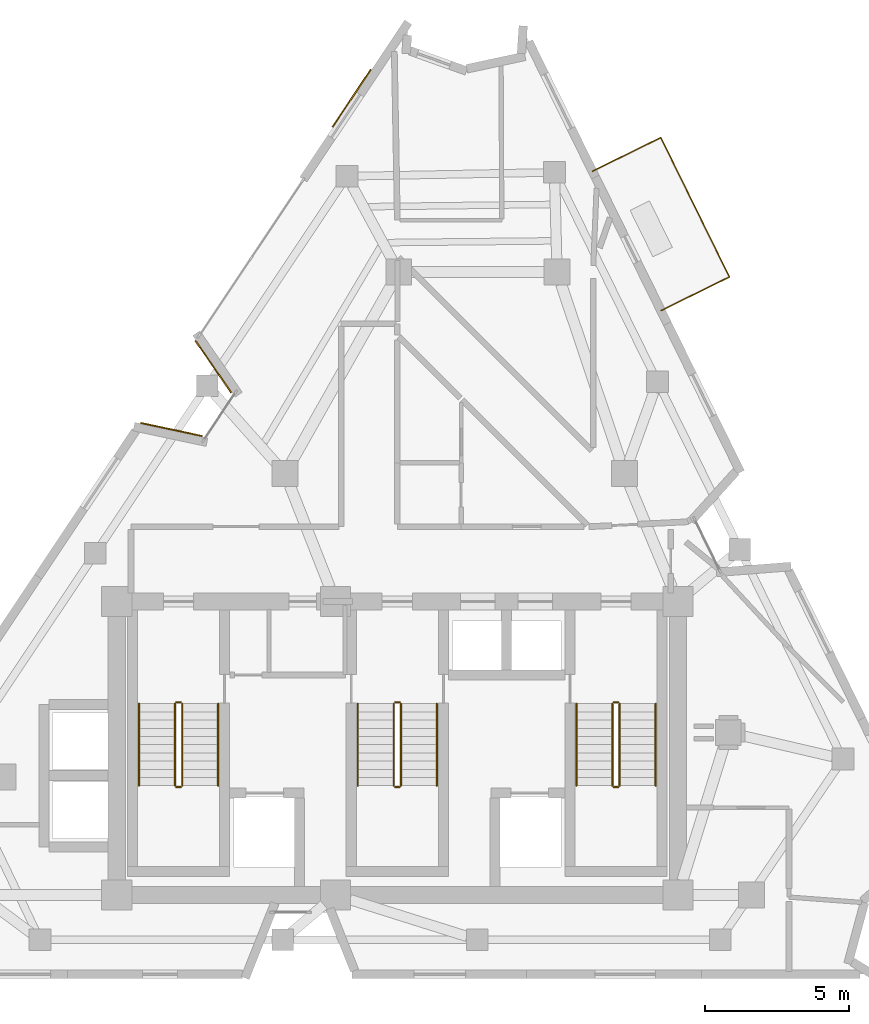
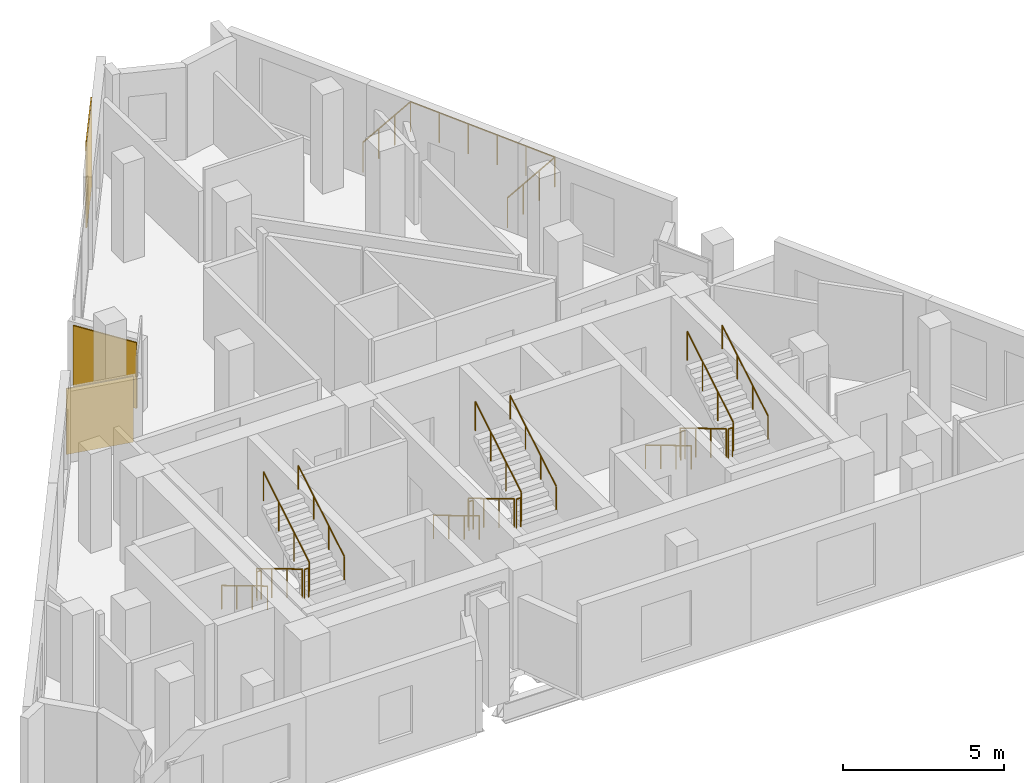
# One storey, part 8 of 8: 19 railings, 3 coverings.
"""IFC4 building model written with IfcOpenShell, lengths in metres."""

from ifc_helpers import new_model, si_unit, direction, frame, origin, origin_2d, place, context, subcontext, project, spatial, rectangle, circle, extrude, material, layer, layer_set, type_object, element, save


model = new_model("IFC4")

# Units and contexts
model_context = context("Model", 3, precision=1e-05, world=origin(), true_north=direction((0.0, 1.0)))
body_context = subcontext(model_context, "Body", "Model", "MODEL_VIEW")
ifc_project = project(units=[si_unit("LENGTHUNIT", "METRE"), si_unit("AREAUNIT", "SQUARE_METRE"), si_unit("VOLUMEUNIT", "CUBIC_METRE"), si_unit("PLANEANGLEUNIT", "RADIAN"), si_unit("MASSUNIT", "GRAM", prefix="KILO")], contexts=[model_context])

# Site, building, storey
site_placement = place(None, origin())
site = spatial("IfcSite", under=ifc_project, at=site_placement, CompositionType="ELEMENT")
building_placement = place(site_placement, origin())
building = spatial("IfcBuilding", under=site, at=building_placement, Name="Almagre Mirador Tower", CompositionType="ELEMENT")
storey_placement = place(building_placement, frame((0.0, 0.0, 274.5)))
storey = spatial("IfcBuildingStorey", under=building, at=storey_placement, Name="L71", CompositionType="ELEMENT", Elevation=274.5)

# Coverings
ifc_material_1 = material(Name="Almagre terracotta architectural cladding", Category="masonry")
ifc_layer = layer(ifc_material_1, 0.044921875)
ifc_layer_set = layer_set([ifc_layer], Name="Almagre terracotta architectural cladding")
covering_type = type_object("IfcCoveringType", Name="COV-CLAD-ALMAGRE", PredefinedType="CLADDING", material=ifc_layer_set)
for number, where, z_axis, x_axis, name in (
    (1, (29.451416015625, 20.726806640625, 0.099853515625), (0.0, 0.0, 1.0), (0.978053152694, -0.208355538697, 0.0), "L71 almagre terracotta pier cladding"),
    (2, (30.908447265625, 22.90966796875, 0.099853515625), (0.0, 0.0, 1.0), (-0.567513271194, 0.823364249296, 0.0), "L71 almagre terracotta pier cladding"),
):
    element("IfcCovering", number, at=place(storey_placement, frame(where, z_axis=z_axis, x_axis=x_axis)), inside=storey, type_object=covering_type, Name=name, PredefinedType="CLADDING", context=body_context, shape_type="SweptSolid", body=[
        extrude(rectangle(XDim=2.194091796875, YDim=0.044921875, at=origin_2d()), origin(), (0.0, 0.0, 1.0), 2.49609375),
    ])
covering_placement = place(storey_placement, frame((35.71435546875, 32.240478515625, 0.10009765625), z_axis=(0.0, 0.0, 1.0), x_axis=(0.555207383086, 0.83171194639, 0.0)))
element("IfcCovering", 3, at=covering_placement, inside=storey, type_object=covering_type, Name="L71 almagre terracotta pier cladding", PredefinedType="CLADDING", context=body_context, shape_type="SweptSolid", body=[
    extrude(rectangle(XDim=2.39990234375, YDim=0.044921875, at=origin_2d()), origin(), (0.0, 0.0, 1.0), 3.300048828125),
])

# Railings
ifc_material_2 = material(Name="Black anodized aluminium", Category="aluminium")
railing_type_1 = type_object("IfcRailingType", Name="RLG-BAL-1150", PredefinedType="BALUSTRADE", material=ifc_material_2)
railing_1_placement = place(storey_placement, frame((46.4609375, 24.85693359375, 0.0)))
element("IfcRailing", 4, at=railing_1_placement, inside=storey, type_object=railing_type_1, Name="L71 east balcony balustrade 1", PredefinedType="BALUSTRADE", context=body_context, shape_type="SweptSolid", body=[
    extrude(circle(Radius=0.02392578125, at=origin_2d()), frame((0.0, 0.0, 1.1259765625), z_axis=(0.897264435075, 0.441493526056, 0.0), x_axis=(-0.441493526056, 0.897264435075, 0.0)), (0.0, 0.0, 1.0), 2.650390625),
    extrude(circle(Radius=0.02392578125, at=origin_2d()), frame((2.378173828125, 1.170166015625, 1.1259765625), z_axis=(-0.441216382281, 0.897400748833, 0.0), x_axis=(-0.897400748833, -0.441216382281, 0.0)), (0.0, 0.0, 1.0), 5.39892578125),
    extrude(circle(Radius=0.02392578125, at=origin_2d()), frame((-0.00390625, 6.01513671875, 1.1259765625), z_axis=(-0.897392430481, -0.441233300778, 0.0), x_axis=(0.441233300778, -0.897392430481, 0.0)), (0.0, 0.0, 1.0), 2.64990234375),
    extrude(circle(Radius=0.02099609375, at=origin_2d()), origin(), (0.0, 0.0, 1.0), 1.101806640625),
    extrude(circle(Radius=0.02099609375, at=origin_2d()), frame((0.792724609375, 0.39013671875, 0.0)), (0.0, 0.0, 1.0), 1.101806640625),
    extrude(circle(Radius=0.02099609375, at=origin_2d()), frame((1.58544921875, 0.780029296875, 0.0)), (0.0, 0.0, 1.0), 1.101806640625),
    extrude(circle(Radius=0.02099609375, at=origin_2d()), frame((2.378173828125, 1.170166015625, 0.0)), (0.0, 0.0, 1.0), 1.101806640625),
    extrude(circle(Radius=0.02099609375, at=origin_2d()), frame((1.90185546875, 2.13916015625, 0.0)), (0.0, 0.0, 1.0), 1.101806640625),
    extrude(circle(Radius=0.02099609375, at=origin_2d()), frame((1.42529296875, 3.108154296875, 0.0)), (0.0, 0.0, 1.0), 1.101806640625),
    extrude(circle(Radius=0.02099609375, at=origin_2d()), frame((0.948974609375, 4.0771484375, 0.0)), (0.0, 0.0, 1.0), 1.101806640625),
    extrude(circle(Radius=0.02099609375, at=origin_2d()), frame((0.472412109375, 5.046142578125, 0.0)), (0.0, 0.0, 1.0), 1.101806640625),
    extrude(circle(Radius=0.02099609375, at=origin_2d()), frame((-0.00390625, 6.01513671875, 0.0)), (0.0, 0.0, 1.0), 1.101806640625),
    extrude(circle(Radius=0.02099609375, at=origin_2d()), frame((-0.796630859375, 5.62548828125, 0.0)), (0.0, 0.0, 1.0), 1.101806640625),
    extrude(circle(Radius=0.02099609375, at=origin_2d()), frame((-1.589111328125, 5.235595703125, 0.0)), (0.0, 0.0, 1.0), 1.101806640625),
    extrude(circle(Radius=0.02099609375, at=origin_2d()), frame((-2.3818359375, 4.845947265625, 0.0)), (0.0, 0.0, 1.0), 1.101806640625),
])
ifc_material_3 = material(Name="Painted galvanized steel", Category="steel")
railing_type_2 = type_object("IfcRailingType", Name="RLG-GRD-1100", PredefinedType="GUARDRAIL", material=ifc_material_3)
railing_2_placement = place(storey_placement, frame((29.574951171875, 11.199951171875, 0.17041015625)))
element("IfcRailing", 5, at=railing_2_placement, inside=storey, type_object=railing_type_2, Name="L71 ST-1 stair guard 1", PredefinedType="GUARDRAIL", context=body_context, shape_type="SweptSolid", body=[
    extrude(circle(Radius=0.02392578125, at=origin_2d()), frame((0.0, 0.0, 1.09619140625), z_axis=(0.0, -0.858199205511, 0.513316786848), x_axis=(1.0, 0.0, 0.0)), (0.0, 0.0, 1.0), 3.32080078125),
    extrude(circle(Radius=0.02099609375, at=origin_2d()), origin(), (0.0, 0.0, 1.0), 1.072021484375),
    extrude(circle(Radius=0.02099609375, at=origin_2d()), frame((0.0, -0.949951171875, 0.568115234375)), (0.0, 0.0, 1.0), 1.072021484375),
    extrude(circle(Radius=0.02099609375, at=origin_2d()), frame((0.0, -1.89990234375, 1.136474609375)), (0.0, 0.0, 1.0), 1.072021484375),
    extrude(circle(Radius=0.02099609375, at=origin_2d()), frame((0.0, -2.849853515625, 1.70458984375)), (0.0, 0.0, 1.0), 1.072021484375),
])
railing_3_placement = place(storey_placement, frame((29.625, 8.300048828125, 1.875)))
element("IfcRailing", 6, at=railing_3_placement, inside=storey, type_object=railing_type_2, Name="L71 ST-1 stair guard 2", PredefinedType="GUARDRAIL", context=body_context, shape_type="SweptSolid", body=[
    extrude(circle(Radius=0.02392578125, at=origin_2d()), frame((0.0, 0.0, 1.09619140625), z_axis=(1.0, 0.0, 0.0), x_axis=(0.0, 1.0, 0.0)), (0.0, 0.0, 1.0), 0.14990234375),
    extrude(circle(Radius=0.02099609375, at=origin_2d()), origin(), (0.0, 0.0, 1.0), 1.072021484375),
    extrude(circle(Radius=0.02099609375, at=origin_2d()), frame((0.14990234375, 0.0, 0.0)), (0.0, 0.0, 1.0), 1.072021484375),
])
railing_4_placement = place(storey_placement, frame((29.824951171875, 8.35009765625, 2.04541015625)))
element("IfcRailing", 7, at=railing_4_placement, inside=storey, type_object=railing_type_2, Name="L71 ST-1 stair guard 3", PredefinedType="GUARDRAIL", context=body_context, shape_type="SweptSolid", body=[
    extrude(circle(Radius=0.02392578125, at=origin_2d()), frame((0.0, 0.0, 1.09619140625), z_axis=(0.0, 0.858199205511, 0.513316786848), x_axis=(-1.0, 0.0, 0.0)), (0.0, 0.0, 1.0), 3.32080078125),
    extrude(circle(Radius=0.02099609375, at=origin_2d()), origin(), (0.0, 0.0, 1.0), 1.072021484375),
    extrude(circle(Radius=0.02099609375, at=origin_2d()), frame((0.0, 0.949951171875, 0.568115234375)), (0.0, 0.0, 1.0), 1.072021484375),
    extrude(circle(Radius=0.02099609375, at=origin_2d()), frame((0.0, 1.89990234375, 1.136474609375)), (0.0, 0.0, 1.0), 1.072021484375),
    extrude(circle(Radius=0.02099609375, at=origin_2d()), frame((0.0, 2.849853515625, 1.70458984375)), (0.0, 0.0, 1.0), 1.072021484375),
])
railing_5_placement = place(storey_placement, frame((29.625, 11.25, 0.0)))
element("IfcRailing", 8, at=railing_5_placement, inside=storey, type_object=railing_type_2, Name="L71 ST-1 stair guard 4", PredefinedType="GUARDRAIL", context=body_context, shape_type="SweptSolid", body=[
    extrude(circle(Radius=0.02392578125, at=origin_2d()), frame((0.0, 0.0, 1.09619140625), z_axis=(1.0, 0.0, 0.0), x_axis=(0.0, 1.0, 0.0)), (0.0, 0.0, 1.0), 0.14990234375),
    extrude(circle(Radius=0.02099609375, at=origin_2d()), origin(), (0.0, 0.0, 1.0), 1.072021484375),
    extrude(circle(Radius=0.02099609375, at=origin_2d()), frame((0.14990234375, 0.0, 0.0)), (0.0, 0.0, 1.0), 1.072021484375),
])
railing_6_placement = place(storey_placement, frame((37.175048828125, 11.199951171875, 0.17041015625)))
element("IfcRailing", 9, at=railing_6_placement, inside=storey, type_object=railing_type_2, Name="L71 ST-2 stair guard 1", PredefinedType="GUARDRAIL", context=body_context, shape_type="SweptSolid", body=[
    extrude(circle(Radius=0.02392578125, at=origin_2d()), frame((0.0, 0.0, 1.09619140625), z_axis=(0.0, -0.858199205511, 0.513316786848), x_axis=(1.0, 0.0, 0.0)), (0.0, 0.0, 1.0), 3.32080078125),
    extrude(circle(Radius=0.02099609375, at=origin_2d()), origin(), (0.0, 0.0, 1.0), 1.072021484375),
    extrude(circle(Radius=0.02099609375, at=origin_2d()), frame((0.0, -0.949951171875, 0.568115234375)), (0.0, 0.0, 1.0), 1.072021484375),
    extrude(circle(Radius=0.02099609375, at=origin_2d()), frame((0.0, -1.89990234375, 1.136474609375)), (0.0, 0.0, 1.0), 1.072021484375),
    extrude(circle(Radius=0.02099609375, at=origin_2d()), frame((0.0, -2.849853515625, 1.70458984375)), (0.0, 0.0, 1.0), 1.072021484375),
])
railing_7_placement = place(storey_placement, frame((37.22509765625, 8.300048828125, 1.875)))
element("IfcRailing", 10, at=railing_7_placement, inside=storey, type_object=railing_type_2, Name="L71 ST-2 stair guard 2", PredefinedType="GUARDRAIL", context=body_context, shape_type="SweptSolid", body=[
    extrude(circle(Radius=0.02392578125, at=origin_2d()), frame((0.0, 0.0, 1.09619140625), z_axis=(1.0, 0.0, 0.0), x_axis=(0.0, 1.0, 0.0)), (0.0, 0.0, 1.0), 0.14990234375),
    extrude(circle(Radius=0.02099609375, at=origin_2d()), origin(), (0.0, 0.0, 1.0), 1.072021484375),
    extrude(circle(Radius=0.02099609375, at=origin_2d()), frame((0.14990234375, 0.0, 0.0)), (0.0, 0.0, 1.0), 1.072021484375),
])
railing_8_placement = place(storey_placement, frame((37.425048828125, 8.35009765625, 2.04541015625)))
element("IfcRailing", 11, at=railing_8_placement, inside=storey, type_object=railing_type_2, Name="L71 ST-2 stair guard 3", PredefinedType="GUARDRAIL", context=body_context, shape_type="SweptSolid", body=[
    extrude(circle(Radius=0.02392578125, at=origin_2d()), frame((0.0, 0.0, 1.09619140625), z_axis=(0.0, 0.858199205511, 0.513316786848), x_axis=(-1.0, 0.0, 0.0)), (0.0, 0.0, 1.0), 3.32080078125),
    extrude(circle(Radius=0.02099609375, at=origin_2d()), origin(), (0.0, 0.0, 1.0), 1.072021484375),
    extrude(circle(Radius=0.02099609375, at=origin_2d()), frame((0.0, 0.949951171875, 0.568115234375)), (0.0, 0.0, 1.0), 1.072021484375),
    extrude(circle(Radius=0.02099609375, at=origin_2d()), frame((0.0, 1.89990234375, 1.136474609375)), (0.0, 0.0, 1.0), 1.072021484375),
    extrude(circle(Radius=0.02099609375, at=origin_2d()), frame((0.0, 2.849853515625, 1.70458984375)), (0.0, 0.0, 1.0), 1.072021484375),
])
railing_9_placement = place(storey_placement, frame((37.22509765625, 11.25, 0.0)))
element("IfcRailing", 12, at=railing_9_placement, inside=storey, type_object=railing_type_2, Name="L71 ST-2 stair guard 4", PredefinedType="GUARDRAIL", context=body_context, shape_type="SweptSolid", body=[
    extrude(circle(Radius=0.02392578125, at=origin_2d()), frame((0.0, 0.0, 1.09619140625), z_axis=(1.0, 0.0, 0.0), x_axis=(0.0, 1.0, 0.0)), (0.0, 0.0, 1.0), 0.14990234375),
    extrude(circle(Radius=0.02099609375, at=origin_2d()), origin(), (0.0, 0.0, 1.0), 1.072021484375),
    extrude(circle(Radius=0.02099609375, at=origin_2d()), frame((0.14990234375, 0.0, 0.0)), (0.0, 0.0, 1.0), 1.072021484375),
])
railing_10_placement = place(storey_placement, frame((44.77490234375, 11.199951171875, 0.17041015625)))
element("IfcRailing", 13, at=railing_10_placement, inside=storey, type_object=railing_type_2, Name="L71 ST-3 stair guard 1", PredefinedType="GUARDRAIL", context=body_context, shape_type="SweptSolid", body=[
    extrude(circle(Radius=0.02392578125, at=origin_2d()), frame((0.0, 0.0, 1.09619140625), z_axis=(0.0, -0.858199205511, 0.513316786848), x_axis=(1.0, 0.0, 0.0)), (0.0, 0.0, 1.0), 3.32080078125),
    extrude(circle(Radius=0.02099609375, at=origin_2d()), origin(), (0.0, 0.0, 1.0), 1.072021484375),
    extrude(circle(Radius=0.02099609375, at=origin_2d()), frame((0.0, -0.949951171875, 0.568115234375)), (0.0, 0.0, 1.0), 1.072021484375),
    extrude(circle(Radius=0.02099609375, at=origin_2d()), frame((0.0, -1.89990234375, 1.136474609375)), (0.0, 0.0, 1.0), 1.072021484375),
    extrude(circle(Radius=0.02099609375, at=origin_2d()), frame((0.0, -2.849853515625, 1.70458984375)), (0.0, 0.0, 1.0), 1.072021484375),
])
railing_11_placement = place(storey_placement, frame((44.824951171875, 8.300048828125, 1.875)))
element("IfcRailing", 14, at=railing_11_placement, inside=storey, type_object=railing_type_2, Name="L71 ST-3 stair guard 2", PredefinedType="GUARDRAIL", context=body_context, shape_type="SweptSolid", body=[
    extrude(circle(Radius=0.02392578125, at=origin_2d()), frame((0.0, 0.0, 1.09619140625), z_axis=(1.0, 0.0, 0.0), x_axis=(0.0, 1.0, 0.0)), (0.0, 0.0, 1.0), 0.150146484375),
    extrude(circle(Radius=0.02099609375, at=origin_2d()), origin(), (0.0, 0.0, 1.0), 1.072021484375),
    extrude(circle(Radius=0.02099609375, at=origin_2d()), frame((0.150146484375, 0.0, 0.0)), (0.0, 0.0, 1.0), 1.072021484375),
])
railing_12_placement = place(storey_placement, frame((45.02490234375, 8.35009765625, 2.04541015625)))
element("IfcRailing", 15, at=railing_12_placement, inside=storey, type_object=railing_type_2, Name="L71 ST-3 stair guard 3", PredefinedType="GUARDRAIL", context=body_context, shape_type="SweptSolid", body=[
    extrude(circle(Radius=0.02392578125, at=origin_2d()), frame((0.0, 0.0, 1.09619140625), z_axis=(0.0, 0.858199205511, 0.513316786848), x_axis=(-1.0, 0.0, 0.0)), (0.0, 0.0, 1.0), 3.32080078125),
    extrude(circle(Radius=0.02099609375, at=origin_2d()), origin(), (0.0, 0.0, 1.0), 1.072021484375),
    extrude(circle(Radius=0.02099609375, at=origin_2d()), frame((0.0, 0.949951171875, 0.568115234375)), (0.0, 0.0, 1.0), 1.072021484375),
    extrude(circle(Radius=0.02099609375, at=origin_2d()), frame((0.0, 1.89990234375, 1.136474609375)), (0.0, 0.0, 1.0), 1.072021484375),
    extrude(circle(Radius=0.02099609375, at=origin_2d()), frame((0.0, 2.849853515625, 1.70458984375)), (0.0, 0.0, 1.0), 1.072021484375),
])
railing_13_placement = place(storey_placement, frame((44.824951171875, 11.25, 0.0)))
element("IfcRailing", 16, at=railing_13_placement, inside=storey, type_object=railing_type_2, Name="L71 ST-3 stair guard 4", PredefinedType="GUARDRAIL", context=body_context, shape_type="SweptSolid", body=[
    extrude(circle(Radius=0.02392578125, at=origin_2d()), frame((0.0, 0.0, 1.09619140625), z_axis=(1.0, 0.0, 0.0), x_axis=(0.0, 1.0, 0.0)), (0.0, 0.0, 1.0), 0.150146484375),
    extrude(circle(Radius=0.02099609375, at=origin_2d()), origin(), (0.0, 0.0, 1.0), 1.072021484375),
    extrude(circle(Radius=0.02099609375, at=origin_2d()), frame((0.150146484375, 0.0, 0.0)), (0.0, 0.0, 1.0), 1.072021484375),
])
ifc_material_4 = material(Name="Brushed stainless steel", Category="steel")
railing_type_3 = type_object("IfcRailingType", Name="RLG-HND-915", PredefinedType="HANDRAIL", material=ifc_material_4)
railing_14_placement = place(storey_placement, frame((28.324951171875, 11.199951171875, 0.17041015625)))
element("IfcRailing", 17, at=railing_14_placement, inside=storey, type_object=railing_type_3, Name="L71 ST-1 stair handrail 1", PredefinedType="HANDRAIL", context=body_context, shape_type="SweptSolid", body=[
    extrude(circle(Radius=0.02392578125, at=origin_2d()), frame((0.0, 0.0, 0.89111328125), z_axis=(0.0, -0.858199205511, 0.513316786848), x_axis=(1.0, 0.0, 0.0)), (0.0, 0.0, 1.0), 3.32080078125),
    extrude(circle(Radius=0.02099609375, at=origin_2d()), origin(), (0.0, 0.0, 1.0), 0.866943359375),
    extrude(circle(Radius=0.02099609375, at=origin_2d()), frame((0.0, -0.949951171875, 0.568115234375)), (0.0, 0.0, 1.0), 0.866943359375),
    extrude(circle(Radius=0.02099609375, at=origin_2d()), frame((0.0, -1.89990234375, 1.136474609375)), (0.0, 0.0, 1.0), 0.866943359375),
    extrude(circle(Radius=0.02099609375, at=origin_2d()), frame((0.0, -2.849853515625, 1.70458984375)), (0.0, 0.0, 1.0), 0.866943359375),
])
railing_15_placement = place(storey_placement, frame((31.074951171875, 8.35009765625, 2.04541015625)))
element("IfcRailing", 18, at=railing_15_placement, inside=storey, type_object=railing_type_3, Name="L71 ST-1 stair handrail 2", PredefinedType="HANDRAIL", context=body_context, shape_type="SweptSolid", body=[
    extrude(circle(Radius=0.02392578125, at=origin_2d()), frame((0.0, 0.0, 0.89111328125), z_axis=(0.0, 0.858199205511, 0.513316786848), x_axis=(-1.0, 0.0, 0.0)), (0.0, 0.0, 1.0), 3.32080078125),
    extrude(circle(Radius=0.02099609375, at=origin_2d()), origin(), (0.0, 0.0, 1.0), 0.866943359375),
    extrude(circle(Radius=0.02099609375, at=origin_2d()), frame((0.0, 0.949951171875, 0.568115234375)), (0.0, 0.0, 1.0), 0.866943359375),
    extrude(circle(Radius=0.02099609375, at=origin_2d()), frame((0.0, 1.89990234375, 1.136474609375)), (0.0, 0.0, 1.0), 0.866943359375),
    extrude(circle(Radius=0.02099609375, at=origin_2d()), frame((0.0, 2.849853515625, 1.70458984375)), (0.0, 0.0, 1.0), 0.866943359375),
])
railing_16_placement = place(storey_placement, frame((35.925048828125, 11.199951171875, 0.17041015625)))
element("IfcRailing", 19, at=railing_16_placement, inside=storey, type_object=railing_type_3, Name="L71 ST-2 stair handrail 1", PredefinedType="HANDRAIL", context=body_context, shape_type="SweptSolid", body=[
    extrude(circle(Radius=0.02392578125, at=origin_2d()), frame((0.0, 0.0, 0.89111328125), z_axis=(0.0, -0.858199205511, 0.513316786848), x_axis=(1.0, 0.0, 0.0)), (0.0, 0.0, 1.0), 3.32080078125),
    extrude(circle(Radius=0.02099609375, at=origin_2d()), origin(), (0.0, 0.0, 1.0), 0.866943359375),
    extrude(circle(Radius=0.02099609375, at=origin_2d()), frame((0.0, -0.949951171875, 0.568115234375)), (0.0, 0.0, 1.0), 0.866943359375),
    extrude(circle(Radius=0.02099609375, at=origin_2d()), frame((0.0, -1.89990234375, 1.136474609375)), (0.0, 0.0, 1.0), 0.866943359375),
    extrude(circle(Radius=0.02099609375, at=origin_2d()), frame((0.0, -2.849853515625, 1.70458984375)), (0.0, 0.0, 1.0), 0.866943359375),
])
railing_17_placement = place(storey_placement, frame((38.675048828125, 8.35009765625, 2.04541015625)))
element("IfcRailing", 20, at=railing_17_placement, inside=storey, type_object=railing_type_3, Name="L71 ST-2 stair handrail 2", PredefinedType="HANDRAIL", context=body_context, shape_type="SweptSolid", body=[
    extrude(circle(Radius=0.02392578125, at=origin_2d()), frame((0.0, 0.0, 0.89111328125), z_axis=(0.0, 0.858199205511, 0.513316786848), x_axis=(-1.0, 0.0, 0.0)), (0.0, 0.0, 1.0), 3.32080078125),
    extrude(circle(Radius=0.02099609375, at=origin_2d()), origin(), (0.0, 0.0, 1.0), 0.866943359375),
    extrude(circle(Radius=0.02099609375, at=origin_2d()), frame((0.0, 0.949951171875, 0.568115234375)), (0.0, 0.0, 1.0), 0.866943359375),
    extrude(circle(Radius=0.02099609375, at=origin_2d()), frame((0.0, 1.89990234375, 1.136474609375)), (0.0, 0.0, 1.0), 0.866943359375),
    extrude(circle(Radius=0.02099609375, at=origin_2d()), frame((0.0, 2.849853515625, 1.70458984375)), (0.0, 0.0, 1.0), 0.866943359375),
])
railing_18_placement = place(storey_placement, frame((43.52490234375, 11.199951171875, 0.17041015625)))
element("IfcRailing", 21, at=railing_18_placement, inside=storey, type_object=railing_type_3, Name="L71 ST-3 stair handrail 1", PredefinedType="HANDRAIL", context=body_context, shape_type="SweptSolid", body=[
    extrude(circle(Radius=0.02392578125, at=origin_2d()), frame((0.0, 0.0, 0.89111328125), z_axis=(0.0, -0.858199205511, 0.513316786848), x_axis=(1.0, 0.0, 0.0)), (0.0, 0.0, 1.0), 3.32080078125),
    extrude(circle(Radius=0.02099609375, at=origin_2d()), origin(), (0.0, 0.0, 1.0), 0.866943359375),
    extrude(circle(Radius=0.02099609375, at=origin_2d()), frame((0.0, -0.949951171875, 0.568115234375)), (0.0, 0.0, 1.0), 0.866943359375),
    extrude(circle(Radius=0.02099609375, at=origin_2d()), frame((0.0, -1.89990234375, 1.136474609375)), (0.0, 0.0, 1.0), 0.866943359375),
    extrude(circle(Radius=0.02099609375, at=origin_2d()), frame((0.0, -2.849853515625, 1.70458984375)), (0.0, 0.0, 1.0), 0.866943359375),
])
railing_19_placement = place(storey_placement, frame((46.27490234375, 8.35009765625, 2.04541015625)))
element("IfcRailing", 22, at=railing_19_placement, inside=storey, type_object=railing_type_3, Name="L71 ST-3 stair handrail 2", PredefinedType="HANDRAIL", context=body_context, shape_type="SweptSolid", body=[
    extrude(circle(Radius=0.02392578125, at=origin_2d()), frame((0.0, 0.0, 0.89111328125), z_axis=(0.0, 0.858199205511, 0.513316786848), x_axis=(-1.0, 0.0, 0.0)), (0.0, 0.0, 1.0), 3.32080078125),
    extrude(circle(Radius=0.02099609375, at=origin_2d()), origin(), (0.0, 0.0, 1.0), 0.866943359375),
    extrude(circle(Radius=0.02099609375, at=origin_2d()), frame((0.0, 0.949951171875, 0.568115234375)), (0.0, 0.0, 1.0), 0.866943359375),
    extrude(circle(Radius=0.02099609375, at=origin_2d()), frame((0.0, 1.89990234375, 1.136474609375)), (0.0, 0.0, 1.0), 0.866943359375),
    extrude(circle(Radius=0.02099609375, at=origin_2d()), frame((0.0, 2.849853515625, 1.70458984375)), (0.0, 0.0, 1.0), 0.866943359375),
])

save(model, "model.ifc")
